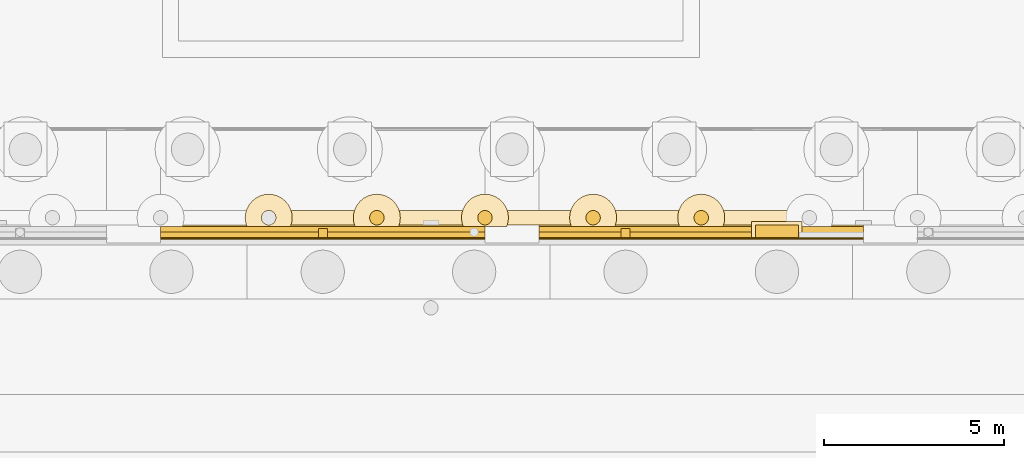
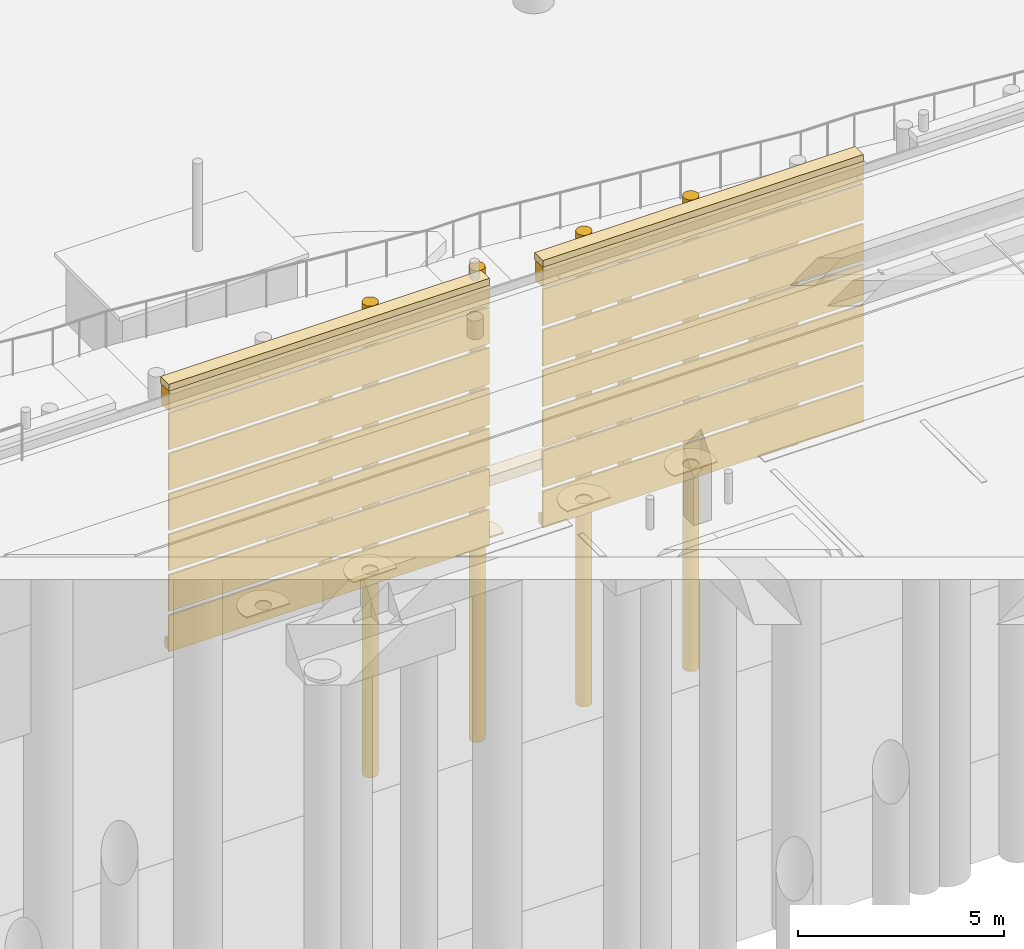
# One storey, part 201 of 222: 36 coverings.
"""IFC4 building model written with IfcOpenShell, lengths in metres."""

from ifc_helpers import new_model, si_unit, direction, frame, origin, origin_2d, place, context, subcontext, project, spatial, polyline, circle, outline, extrude, material, layer, layer_set, type_object, element, save


model = new_model("IFC4")

# Units and contexts
model_context = context("Model", 3, precision=1e-05, world=origin(), true_north=direction((0.0, 1.0)))
body_context = subcontext(model_context, "Body", "Model", "MODEL_VIEW")
ifc_project = project(units=[si_unit("LENGTHUNIT", "METRE"), si_unit("AREAUNIT", "SQUARE_METRE"), si_unit("VOLUMEUNIT", "CUBIC_METRE"), si_unit("PLANEANGLEUNIT", "RADIAN"), si_unit("MASSUNIT", "GRAM", prefix="KILO")], contexts=[model_context])

# Site, building, storey
site_placement = place(None, origin())
site = spatial("IfcSite", under=ifc_project, at=site_placement, CompositionType="ELEMENT")
building_placement = place(site_placement, origin())
building = spatial("IfcBuilding", under=site, at=building_placement, Name="Sava Quay Ferry Terminal", CompositionType="ELEMENT")
storey_placement = place(building_placement, origin())
storey = spatial("IfcBuildingStorey", under=building, at=storey_placement, Name="L00", CompositionType="ELEMENT", Elevation=0.0)

# Coverings
ifc_material_1 = material(Name="Greenheart timber", Category="wood")
ifc_layer_1 = layer(ifc_material_1, 0.25)
ifc_layer_set_1 = layer_set([ifc_layer_1], Name="Greenheart timber")
covering_type_1 = type_object("IfcCoveringType", Name="Fender post 250", PredefinedType="CLADDING", material=ifc_layer_set_1)
covering_1_placement = place(storey_placement, frame((0.0, 0.0, -7.60009765625)))
element("IfcCovering", 1, at=covering_1_placement, inside=storey, type_object=covering_type_1, Name="Fender post", PredefinedType="CLADDING", context=body_context, shape_type="SweptSolid", body=[
    extrude(outline(polyline([(147.125, 118.550048828125), (147.125, 118.800048828125), (146.875, 118.800048828125), (146.875, 118.550048828125), (147.125, 118.550048828125)])), origin(), (0.0, 0.0, 1.0), 6.650146484375),
])
covering_2_placement = place(storey_placement, frame((0.0, 0.0, -7.60009765625)))
element("IfcCovering", 2, at=covering_2_placement, inside=storey, type_object=covering_type_1, Name="Fender post", PredefinedType="CLADDING", context=body_context, shape_type="SweptSolid", body=[
    extrude(outline(polyline([(155.52490234375, 118.550048828125), (155.52490234375, 118.800048828125), (155.27490234375, 118.800048828125), (155.27490234375, 118.550048828125), (155.52490234375, 118.550048828125)])), origin(), (0.0, 0.0, 1.0), 6.650146484375),
])
ifc_material_2 = material(Name="Greenheart timber", Category="wood")
ifc_layer_2 = layer(ifc_material_2, 0.14990234375)
ifc_layer_set_2 = layer_set([ifc_layer_2], Name="Greenheart timber")
covering_type_2 = type_object("IfcCoveringType", Name="Fender rubbing strip 150", PredefinedType="CLADDING", material=ifc_layer_set_2)
covering_3_placement = place(storey_placement, frame((0.0, 0.0, -7.89990234375)))
element("IfcCovering", 3, at=covering_3_placement, inside=storey, type_object=covering_type_2, Name="Fender rubbing strip", PredefinedType="CLADDING", context=body_context, shape_type="SweptSolid", body=[
    extrude(outline(polyline([(153.0, 118.550048828125), (158.989990234375, 118.550048828125), (158.989990234375, 118.699951171875), (153.0, 118.699951171875), (153.0, 118.550048828125)])), origin(), (0.0, 0.0, 1.0), 0.2998046875),
])
covering_4_placement = place(storey_placement, frame((0.0, 0.0, -7.89990234375)))
element("IfcCovering", 4, at=covering_4_placement, inside=storey, type_object=covering_type_2, Name="Fender rubbing strip", PredefinedType="CLADDING", context=body_context, shape_type="SweptSolid", body=[
    extrude(outline(polyline([(151.5, 118.550048828125), (151.5, 118.699951171875), (142.5, 118.699951171875), (142.5, 118.550048828125), (151.5, 118.550048828125)])), origin(), (0.0, 0.0, 1.0), 0.2998046875),
])
ifc_material_3 = material(Name="Timber", Category="wood")
ifc_layer_3 = layer(ifc_material_3, 0.39990234375)
ifc_layer_set_3 = layer_set([ifc_layer_3], Name="Timber")
covering_type_3 = type_object("IfcCoveringType", Name="Quay fender pile 400", PredefinedType="CLADDING", material=ifc_layer_set_3)
for number, where, z_axis, x_axis, name in (
    (5, (148.5, 119.10009765625, 0.0), (0.0, 0.0, -1.0), (1.0, 0.0, 0.0), "Quay fender pile"),
    (6, (151.5, 119.10009765625, 0.0), (0.0, 0.0, -1.0), (1.0, 0.0, 0.0), "Quay fender pile"),
    (7, (154.5, 119.10009765625, 0.0), (0.0, 0.0, -1.0), (1.0, 0.0, 0.0), "Quay fender pile"),
    (8, (157.5, 119.10009765625, 0.0), (0.0, 0.0, -1.0), (1.0, 0.0, 0.0), "Quay fender pile"),
):
    element("IfcCovering", number, at=place(storey_placement, frame(where, z_axis=z_axis, x_axis=x_axis)), inside=storey, type_object=covering_type_3, Name=name, PredefinedType="CLADDING", context=body_context, shape_type="SweptSolid", body=[
        extrude(circle(Radius=0.199951171875, at=origin_2d()), origin(), (0.0, 0.0, 1.0), 14.0),
    ])
ifc_material_4 = material(Name="Timber", Category="wood")
ifc_layer_4 = layer(ifc_material_4, 0.39990234375)
ifc_layer_set_4 = layer_set([ifc_layer_4], Name="Timber")
covering_type_4 = type_object("IfcCoveringType", Name="Quay fender waling", PredefinedType="MOLDING", material=ifc_layer_set_4)
covering_5_placement = place(storey_placement, frame((0.0, 0.0, -6.5)))
element("IfcCovering", 9, at=covering_5_placement, inside=storey, type_object=covering_type_4, Name="Quay fender waling", PredefinedType="MOLDING", context=body_context, shape_type="SweptSolid", body=[
    extrude(outline(polyline([(148.300048828125, 118.89990234375), (148.300048828125, 119.300048828125), (145.699951171875, 119.300048828125), (145.699951171875, 118.89990234375), (148.300048828125, 118.89990234375)])), origin(), (0.0, 0.0, 1.0), 0.300048828125),
])
covering_6_placement = place(storey_placement, frame((0.0, 0.0, -6.5)))
element("IfcCovering", 10, at=covering_6_placement, inside=storey, type_object=covering_type_4, Name="Quay fender waling", PredefinedType="MOLDING", context=body_context, shape_type="SweptSolid", body=[
    extrude(outline(polyline([(151.300048828125, 118.89990234375), (151.300048828125, 119.300048828125), (148.699951171875, 119.300048828125), (148.699951171875, 118.89990234375), (151.300048828125, 118.89990234375)])), origin(), (0.0, 0.0, 1.0), 0.300048828125),
])
covering_7_placement = place(storey_placement, frame((0.0, 0.0, -6.5)))
element("IfcCovering", 11, at=covering_7_placement, inside=storey, type_object=covering_type_4, Name="Quay fender waling", PredefinedType="MOLDING", context=body_context, shape_type="SweptSolid", body=[
    extrude(outline(polyline([(154.300048828125, 118.89990234375), (154.300048828125, 119.300048828125), (151.699951171875, 119.300048828125), (151.699951171875, 118.89990234375), (154.300048828125, 118.89990234375)])), origin(), (0.0, 0.0, 1.0), 0.300048828125),
])
covering_8_placement = place(storey_placement, frame((0.0, 0.0, -6.5)))
element("IfcCovering", 12, at=covering_8_placement, inside=storey, type_object=covering_type_4, Name="Quay fender waling", PredefinedType="MOLDING", context=body_context, shape_type="SweptSolid", body=[
    extrude(outline(polyline([(157.300048828125, 118.89990234375), (157.300048828125, 119.300048828125), (154.699951171875, 119.300048828125), (154.699951171875, 118.89990234375), (157.300048828125, 118.89990234375)])), origin(), (0.0, 0.0, 1.0), 0.300048828125),
])
covering_9_placement = place(storey_placement, frame((0.0, 0.0, -6.5)))
element("IfcCovering", 13, at=covering_9_placement, inside=storey, type_object=covering_type_4, Name="Quay fender waling", PredefinedType="MOLDING", context=body_context, shape_type="SweptSolid", body=[
    extrude(outline(polyline([(160.300048828125, 118.89990234375), (160.300048828125, 119.300048828125), (157.699951171875, 119.300048828125), (157.699951171875, 118.89990234375), (160.300048828125, 118.89990234375)])), origin(), (0.0, 0.0, 1.0), 0.300048828125),
])
ifc_material_5 = material(Name="Limestone Mutalj", Category="masonry")
ifc_layer_5 = layer(ifc_material_5, 0.449951171875)
ifc_layer_set_5 = layer_set([ifc_layer_5], Name="Limestone Mutalj")
covering_type_5 = type_object("IfcCoveringType", Name="Quay pilaster cap 1400", PredefinedType="MOLDING", material=ifc_layer_set_5)
covering_10_placement = place(storey_placement, frame((0.0, 0.0, -0.949951171875)))
element("IfcCovering", 14, at=covering_10_placement, inside=storey, type_object=covering_type_5, Name="Quay pilaster cap", PredefinedType="MOLDING", context=body_context, shape_type="SweptSolid", body=[
    extrude(outline(polyline([(160.300048828125, 118.550048828125), (160.300048828125, 119.0), (158.89990234375, 119.0), (158.89990234375, 118.550048828125), (160.300048828125, 118.550048828125)])), origin(), (0.0, 0.0, 1.0), 0.14990234375),
])
ifc_material_6 = material(Name="Limestone Mutalj", Category="masonry")
ifc_layer_6 = layer(ifc_material_6, 0.39990234375)
ifc_layer_set_6 = layer_set([ifc_layer_6], Name="Limestone Mutalj")
covering_type_6 = type_object("IfcCoveringType", Name="Quay wall coping 400", PredefinedType="MOLDING", material=ifc_layer_set_6)
covering_11_placement = place(storey_placement, frame((0.0, 0.0, -0.199951171875)))
element("IfcCovering", 15, at=covering_11_placement, inside=storey, type_object=covering_type_6, Name="Quay wall coping", PredefinedType="MOLDING", context=body_context, shape_type="SweptSolid", body=[
    extrude(outline(polyline([(162.0, 118.89990234375), (153.0, 118.89990234375), (153.0, 118.5), (162.0, 118.5), (162.0, 118.89990234375)])), origin(), (0.0, 0.0, 1.0), 0.199951171875),
])
covering_12_placement = place(storey_placement, frame((0.0, 0.0, -0.199951171875)))
element("IfcCovering", 16, at=covering_12_placement, inside=storey, type_object=covering_type_6, Name="Quay wall coping", PredefinedType="MOLDING", context=body_context, shape_type="SweptSolid", body=[
    extrude(outline(polyline([(151.5, 118.89990234375), (142.5, 118.89990234375), (142.5, 118.5), (151.5, 118.5), (151.5, 118.89990234375)])), origin(), (0.0, 0.0, 1.0), 0.199951171875),
])
ifc_material_7 = material(Name="Limestone Mutalj", Category="masonry")
ifc_layer_7 = layer(ifc_material_7, 0.35009765625)
ifc_layer_set_7 = layer_set([ifc_layer_7], Name="Limestone Mutalj")
covering_type_7 = type_object("IfcCoveringType", Name="Quay wall cornice 350", PredefinedType="MOLDING", material=ifc_layer_set_7)
covering_13_placement = place(storey_placement, frame((0.0, 0.0, -0.800048828125)))
element("IfcCovering", 17, at=covering_13_placement, inside=storey, type_object=covering_type_7, Name="Quay wall cornice", PredefinedType="MOLDING", context=body_context, shape_type="SweptSolid", body=[
    extrude(outline(polyline([(162.0, 118.85009765625), (153.0, 118.85009765625), (153.0, 118.5), (162.0, 118.5), (162.0, 118.85009765625)])), origin(), (0.0, 0.0, 1.0), 0.60009765625),
])
covering_14_placement = place(storey_placement, frame((0.0, 0.0, -0.800048828125)))
element("IfcCovering", 18, at=covering_14_placement, inside=storey, type_object=covering_type_7, Name="Quay wall cornice", PredefinedType="MOLDING", context=body_context, shape_type="SweptSolid", body=[
    extrude(outline(polyline([(151.5, 118.85009765625), (142.5, 118.85009765625), (142.5, 118.5), (151.5, 118.5), (151.5, 118.85009765625)])), origin(), (0.0, 0.0, 1.0), 0.60009765625),
])
ifc_material_8 = material(Name="Limestone Mutalj", Category="masonry")
ifc_layer_8 = layer(ifc_material_8, 0.35009765625)
ifc_layer_set_8 = layer_set([ifc_layer_8], Name="Limestone Mutalj")
covering_type_8 = type_object("IfcCoveringType", Name="Quay wall pilaster 1200", PredefinedType="CLADDING", material=ifc_layer_set_8)
covering_15_placement = place(storey_placement, frame((0.0, 0.0, -8.0)))
element("IfcCovering", 19, at=covering_15_placement, inside=storey, type_object=covering_type_8, Name="Quay wall pilaster", PredefinedType="CLADDING", context=body_context, shape_type="SweptSolid", body=[
    extrude(outline(polyline([(160.199951171875, 118.550048828125), (160.199951171875, 118.89990234375), (159.0, 118.89990234375), (159.0, 118.550048828125), (160.199951171875, 118.550048828125)])), origin(), (0.0, 0.0, 1.0), 7.050048828125),
])
ifc_material_9 = material(Name="Water")
ifc_layer_9 = layer(ifc_material_9, 0.0400390625)
ifc_layer_set_9 = layer_set([ifc_layer_9], Name="Water")
covering_type_9 = type_object("IfcCoveringType", Name="River foam collar", PredefinedType="CLADDING", material=ifc_layer_set_9)
covering_16_placement = place(storey_placement, frame((0.0, 0.0, -8.0)))
element("IfcCovering", 20, at=covering_16_placement, inside=storey, type_object=covering_type_9, Name="River foam collar", PredefinedType="CLADDING", context=body_context, shape_type="SweptSolid", body=[
    extrude(outline(polyline([(146.139892578125, 119.22705078125), (146.10302734375, 119.35009765625), (146.0419921875, 119.4619140625), (145.9609375, 119.56103515625), (145.862060546875, 119.64208984375), (145.75, 119.702880859375), (145.626953125, 119.739990234375), (145.5, 119.751953125), (145.373046875, 119.739990234375), (145.25, 119.702880859375), (145.137939453125, 119.64208984375), (145.0390625, 119.56103515625), (144.9580078125, 119.4619140625), (144.89697265625, 119.35009765625), (144.860107421875, 119.22705078125), (144.847900390625, 119.10009765625), (144.860107421875, 118.972900390625), (144.89794921875, 118.85009765625), (146.10205078125, 118.85009765625), (146.139892578125, 118.972900390625), (146.152099609375, 119.10009765625), (146.139892578125, 119.22705078125)]), holes=[polyline([(145.4609375, 119.2958984375), (145.5, 119.300048828125), (145.5390625, 119.2958984375), (145.576904296875, 119.284912109375), (145.611083984375, 119.26611328125), (145.64111328125, 119.240966796875), (145.666015625, 119.2109375), (145.68505859375, 119.177001953125), (145.696044921875, 119.138916015625), (145.699951171875, 119.10009765625), (145.696044921875, 119.06103515625), (145.68505859375, 119.02294921875), (145.666015625, 118.989013671875), (145.64111328125, 118.958984375), (145.611083984375, 118.93408203125), (145.576904296875, 118.9150390625), (145.5390625, 118.904052734375), (145.5, 118.89990234375), (145.4609375, 118.904052734375), (145.423095703125, 118.9150390625), (145.388916015625, 118.93408203125), (145.35888671875, 118.958984375), (145.333984375, 118.989013671875), (145.31494140625, 119.02294921875), (145.303955078125, 119.06103515625), (145.300048828125, 119.10009765625), (145.303955078125, 119.138916015625), (145.31494140625, 119.177001953125), (145.333984375, 119.2109375), (145.35888671875, 119.240966796875), (145.388916015625, 119.26611328125), (145.423095703125, 119.284912109375), (145.4609375, 119.2958984375)])]), origin(), (0.0, 0.0, 1.0), 0.0400390625),
])
covering_17_placement = place(storey_placement, frame((0.0, 0.0, -8.0)))
element("IfcCovering", 21, at=covering_17_placement, inside=storey, type_object=covering_type_9, Name="River foam collar", PredefinedType="CLADDING", context=body_context, shape_type="SweptSolid", body=[
    extrude(outline(polyline([(149.152099609375, 119.10009765625), (149.139892578125, 119.22705078125), (149.10302734375, 119.35009765625), (149.0419921875, 119.4619140625), (148.9609375, 119.56103515625), (148.862060546875, 119.64208984375), (148.75, 119.702880859375), (148.626953125, 119.739990234375), (148.5, 119.751953125), (148.373046875, 119.739990234375), (148.25, 119.702880859375), (148.137939453125, 119.64208984375), (148.0390625, 119.56103515625), (147.9580078125, 119.4619140625), (147.89697265625, 119.35009765625), (147.860107421875, 119.22705078125), (147.847900390625, 119.10009765625), (147.860107421875, 118.972900390625), (147.89794921875, 118.85009765625), (149.10205078125, 118.85009765625), (149.139892578125, 118.972900390625), (149.152099609375, 119.10009765625)]), holes=[polyline([(148.423095703125, 119.284912109375), (148.4609375, 119.2958984375), (148.5, 119.300048828125), (148.5390625, 119.2958984375), (148.576904296875, 119.284912109375), (148.611083984375, 119.26611328125), (148.64111328125, 119.240966796875), (148.666015625, 119.2109375), (148.68505859375, 119.177001953125), (148.696044921875, 119.138916015625), (148.699951171875, 119.10009765625), (148.696044921875, 119.06103515625), (148.68505859375, 119.02294921875), (148.666015625, 118.989013671875), (148.64111328125, 118.958984375), (148.611083984375, 118.93408203125), (148.576904296875, 118.9150390625), (148.5390625, 118.904052734375), (148.5, 118.89990234375), (148.4609375, 118.904052734375), (148.423095703125, 118.9150390625), (148.388916015625, 118.93408203125), (148.35888671875, 118.958984375), (148.333984375, 118.989013671875), (148.31494140625, 119.02294921875), (148.303955078125, 119.06103515625), (148.300048828125, 119.10009765625), (148.303955078125, 119.138916015625), (148.31494140625, 119.177001953125), (148.333984375, 119.2109375), (148.35888671875, 119.240966796875), (148.388916015625, 119.26611328125), (148.423095703125, 119.284912109375)])]), origin(), (0.0, 0.0, 1.0), 0.0400390625),
])
covering_18_placement = place(storey_placement, frame((0.0, 0.0, -8.0)))
element("IfcCovering", 22, at=covering_18_placement, inside=storey, type_object=covering_type_9, Name="River foam collar", PredefinedType="CLADDING", context=body_context, shape_type="SweptSolid", body=[
    extrude(outline(polyline([(152.139892578125, 118.972900390625), (152.152099609375, 119.10009765625), (152.139892578125, 119.22705078125), (152.10302734375, 119.35009765625), (152.0419921875, 119.4619140625), (151.9609375, 119.56103515625), (151.862060546875, 119.64208984375), (151.75, 119.702880859375), (151.626953125, 119.739990234375), (151.5, 119.751953125), (151.373046875, 119.739990234375), (151.25, 119.702880859375), (151.137939453125, 119.64208984375), (151.0390625, 119.56103515625), (150.9580078125, 119.4619140625), (150.89697265625, 119.35009765625), (150.860107421875, 119.22705078125), (150.847900390625, 119.10009765625), (150.860107421875, 118.972900390625), (150.89794921875, 118.85009765625), (152.10205078125, 118.85009765625), (152.139892578125, 118.972900390625)]), holes=[polyline([(151.388916015625, 119.26611328125), (151.423095703125, 119.284912109375), (151.4609375, 119.2958984375), (151.5, 119.300048828125), (151.5390625, 119.2958984375), (151.576904296875, 119.284912109375), (151.611083984375, 119.26611328125), (151.64111328125, 119.240966796875), (151.666015625, 119.2109375), (151.68505859375, 119.177001953125), (151.696044921875, 119.138916015625), (151.699951171875, 119.10009765625), (151.696044921875, 119.06103515625), (151.68505859375, 119.02294921875), (151.666015625, 118.989013671875), (151.64111328125, 118.958984375), (151.611083984375, 118.93408203125), (151.576904296875, 118.9150390625), (151.5390625, 118.904052734375), (151.5, 118.89990234375), (151.4609375, 118.904052734375), (151.423095703125, 118.9150390625), (151.388916015625, 118.93408203125), (151.35888671875, 118.958984375), (151.333984375, 118.989013671875), (151.31494140625, 119.02294921875), (151.303955078125, 119.06103515625), (151.300048828125, 119.10009765625), (151.303955078125, 119.138916015625), (151.31494140625, 119.177001953125), (151.333984375, 119.2109375), (151.35888671875, 119.240966796875), (151.388916015625, 119.26611328125)])]), origin(), (0.0, 0.0, 1.0), 0.0400390625),
])
covering_19_placement = place(storey_placement, frame((0.0, 0.0, -8.0)))
element("IfcCovering", 23, at=covering_19_placement, inside=storey, type_object=covering_type_9, Name="River foam collar", PredefinedType="CLADDING", context=body_context, shape_type="SweptSolid", body=[
    extrude(outline(polyline([(155.10302734375, 118.85009765625), (155.139892578125, 118.972900390625), (155.152099609375, 119.10009765625), (155.139892578125, 119.22705078125), (155.10302734375, 119.35009765625), (155.0419921875, 119.4619140625), (154.9609375, 119.56103515625), (154.862060546875, 119.64208984375), (154.75, 119.702880859375), (154.626953125, 119.739990234375), (154.5, 119.751953125), (154.373046875, 119.739990234375), (154.25, 119.702880859375), (154.137939453125, 119.64208984375), (154.0390625, 119.56103515625), (153.9580078125, 119.4619140625), (153.89697265625, 119.35009765625), (153.860107421875, 119.22705078125), (153.847900390625, 119.10009765625), (153.860107421875, 118.972900390625), (153.89794921875, 118.85009765625), (155.10302734375, 118.85009765625)]), holes=[polyline([(154.35888671875, 119.240966796875), (154.388916015625, 119.26611328125), (154.423095703125, 119.284912109375), (154.4609375, 119.2958984375), (154.5, 119.300048828125), (154.5390625, 119.2958984375), (154.576904296875, 119.284912109375), (154.611083984375, 119.26611328125), (154.64111328125, 119.240966796875), (154.666015625, 119.2109375), (154.68505859375, 119.177001953125), (154.696044921875, 119.138916015625), (154.699951171875, 119.10009765625), (154.696044921875, 119.06103515625), (154.68505859375, 119.02294921875), (154.666015625, 118.989013671875), (154.64111328125, 118.958984375), (154.611083984375, 118.93408203125), (154.576904296875, 118.9150390625), (154.5390625, 118.904052734375), (154.5, 118.89990234375), (154.4609375, 118.904052734375), (154.423095703125, 118.9150390625), (154.388916015625, 118.93408203125), (154.35888671875, 118.958984375), (154.333984375, 118.989013671875), (154.31494140625, 119.02294921875), (154.303955078125, 119.06103515625), (154.300048828125, 119.10009765625), (154.303955078125, 119.138916015625), (154.31494140625, 119.177001953125), (154.333984375, 119.2109375), (154.35888671875, 119.240966796875)])]), origin(), (0.0, 0.0, 1.0), 0.0400390625),
])
covering_20_placement = place(storey_placement, frame((0.0, 0.0, -8.0)))
element("IfcCovering", 24, at=covering_20_placement, inside=storey, type_object=covering_type_9, Name="River foam collar", PredefinedType="CLADDING", context=body_context, shape_type="SweptSolid", body=[
    extrude(outline(polyline([(158.10205078125, 118.85009765625), (158.139892578125, 118.972900390625), (158.152099609375, 119.10009765625), (158.139892578125, 119.22705078125), (158.10302734375, 119.35009765625), (158.0419921875, 119.4619140625), (157.9609375, 119.56103515625), (157.862060546875, 119.64208984375), (157.75, 119.702880859375), (157.626953125, 119.739990234375), (157.5, 119.751953125), (157.373046875, 119.739990234375), (157.25, 119.702880859375), (157.137939453125, 119.64208984375), (157.0390625, 119.56103515625), (156.9580078125, 119.4619140625), (156.89697265625, 119.35009765625), (156.860107421875, 119.22705078125), (156.847900390625, 119.10009765625), (156.860107421875, 118.972900390625), (156.89794921875, 118.85009765625), (158.10205078125, 118.85009765625)]), holes=[polyline([(157.333984375, 119.2109375), (157.35888671875, 119.240966796875), (157.388916015625, 119.26611328125), (157.423095703125, 119.284912109375), (157.4609375, 119.2958984375), (157.5, 119.300048828125), (157.5390625, 119.2958984375), (157.576904296875, 119.284912109375), (157.611083984375, 119.26611328125), (157.64111328125, 119.240966796875), (157.666015625, 119.2109375), (157.68505859375, 119.177001953125), (157.696044921875, 119.138916015625), (157.699951171875, 119.10009765625), (157.696044921875, 119.06103515625), (157.68505859375, 119.02294921875), (157.666015625, 118.989013671875), (157.64111328125, 118.958984375), (157.611083984375, 118.93408203125), (157.576904296875, 118.9150390625), (157.5390625, 118.904052734375), (157.5, 118.89990234375), (157.4609375, 118.904052734375), (157.423095703125, 118.9150390625), (157.388916015625, 118.93408203125), (157.35888671875, 118.958984375), (157.333984375, 118.989013671875), (157.31494140625, 119.02294921875), (157.303955078125, 119.06103515625), (157.300048828125, 119.10009765625), (157.303955078125, 119.138916015625), (157.31494140625, 119.177001953125), (157.333984375, 119.2109375)])]), origin(), (0.0, 0.0, 1.0), 0.0400390625),
])
ifc_material_10 = material(Name="Limestone Mutalj", Category="masonry")
ifc_layer_10 = layer(ifc_material_10, 0.050048828125)
ifc_layer_set_10 = layer_set([ifc_layer_10], Name="Limestone Mutalj")
covering_type_10 = type_object("IfcCoveringType", Name="Rustication course 250", PredefinedType="MOLDING", material=ifc_layer_set_10)
covering_21_placement = place(storey_placement, frame((0.0, 0.0, -7.93994140625)))
element("IfcCovering", 25, at=covering_21_placement, inside=storey, type_object=covering_type_10, Name="Rustication course", PredefinedType="MOLDING", context=body_context, shape_type="SweptSolid", body=[
    extrude(outline(polyline([(162.0, 118.550048828125), (153.0, 118.550048828125), (153.0, 118.5), (162.0, 118.5), (162.0, 118.550048828125)])), origin(), (0.0, 0.0, 1.0), 1.079833984375),
])
covering_22_placement = place(storey_placement, frame((0.0, 0.0, -7.93994140625)))
element("IfcCovering", 26, at=covering_22_placement, inside=storey, type_object=covering_type_10, Name="Rustication course", PredefinedType="MOLDING", context=body_context, shape_type="SweptSolid", body=[
    extrude(outline(polyline([(151.5, 118.550048828125), (142.5, 118.550048828125), (142.5, 118.5), (151.5, 118.5), (151.5, 118.550048828125)])), origin(), (0.0, 0.0, 1.0), 1.079833984375),
])
covering_23_placement = place(storey_placement, frame((0.0, 0.0, -6.739990234375)))
element("IfcCovering", 27, at=covering_23_placement, inside=storey, type_object=covering_type_10, Name="Rustication course", PredefinedType="MOLDING", context=body_context, shape_type="SweptSolid", body=[
    extrude(outline(polyline([(162.0, 118.550048828125), (153.0, 118.550048828125), (153.0, 118.5), (162.0, 118.5), (162.0, 118.550048828125)])), origin(), (0.0, 0.0, 1.0), 1.080078125),
])
covering_24_placement = place(storey_placement, frame((0.0, 0.0, -6.739990234375)))
element("IfcCovering", 28, at=covering_24_placement, inside=storey, type_object=covering_type_10, Name="Rustication course", PredefinedType="MOLDING", context=body_context, shape_type="SweptSolid", body=[
    extrude(outline(polyline([(151.5, 118.550048828125), (142.5, 118.550048828125), (142.5, 118.5), (151.5, 118.5), (151.5, 118.550048828125)])), origin(), (0.0, 0.0, 1.0), 1.080078125),
])
covering_25_placement = place(storey_placement, frame((0.0, 0.0, -5.5400390625)))
element("IfcCovering", 29, at=covering_25_placement, inside=storey, type_object=covering_type_10, Name="Rustication course", PredefinedType="MOLDING", context=body_context, shape_type="SweptSolid", body=[
    extrude(outline(polyline([(162.0, 118.550048828125), (153.0, 118.550048828125), (153.0, 118.5), (162.0, 118.5), (162.0, 118.550048828125)])), origin(), (0.0, 0.0, 1.0), 1.080078125),
])
covering_26_placement = place(storey_placement, frame((0.0, 0.0, -5.5400390625)))
element("IfcCovering", 30, at=covering_26_placement, inside=storey, type_object=covering_type_10, Name="Rustication course", PredefinedType="MOLDING", context=body_context, shape_type="SweptSolid", body=[
    extrude(outline(polyline([(151.5, 118.550048828125), (142.5, 118.550048828125), (142.5, 118.5), (151.5, 118.5), (151.5, 118.550048828125)])), origin(), (0.0, 0.0, 1.0), 1.080078125),
])
covering_27_placement = place(storey_placement, frame((0.0, 0.0, -4.340087890625)))
element("IfcCovering", 31, at=covering_27_placement, inside=storey, type_object=covering_type_10, Name="Rustication course", PredefinedType="MOLDING", context=body_context, shape_type="SweptSolid", body=[
    extrude(outline(polyline([(162.0, 118.550048828125), (153.0, 118.550048828125), (153.0, 118.5), (162.0, 118.5), (162.0, 118.550048828125)])), origin(), (0.0, 0.0, 1.0), 1.080078125),
])
covering_28_placement = place(storey_placement, frame((0.0, 0.0, -4.340087890625)))
element("IfcCovering", 32, at=covering_28_placement, inside=storey, type_object=covering_type_10, Name="Rustication course", PredefinedType="MOLDING", context=body_context, shape_type="SweptSolid", body=[
    extrude(outline(polyline([(151.5, 118.550048828125), (142.5, 118.550048828125), (142.5, 118.5), (151.5, 118.5), (151.5, 118.550048828125)])), origin(), (0.0, 0.0, 1.0), 1.080078125),
])
covering_29_placement = place(storey_placement, frame((0.0, 0.0, -3.139892578125)))
element("IfcCovering", 33, at=covering_29_placement, inside=storey, type_object=covering_type_10, Name="Rustication course", PredefinedType="MOLDING", context=body_context, shape_type="SweptSolid", body=[
    extrude(outline(polyline([(162.0, 118.550048828125), (153.0, 118.550048828125), (153.0, 118.5), (162.0, 118.5), (162.0, 118.550048828125)])), origin(), (0.0, 0.0, 1.0), 1.079833984375),
])
covering_30_placement = place(storey_placement, frame((0.0, 0.0, -3.139892578125)))
element("IfcCovering", 34, at=covering_30_placement, inside=storey, type_object=covering_type_10, Name="Rustication course", PredefinedType="MOLDING", context=body_context, shape_type="SweptSolid", body=[
    extrude(outline(polyline([(151.5, 118.550048828125), (142.5, 118.550048828125), (142.5, 118.5), (151.5, 118.5), (151.5, 118.550048828125)])), origin(), (0.0, 0.0, 1.0), 1.079833984375),
])
covering_31_placement = place(storey_placement, frame((0.0, 0.0, -1.93994140625)))
element("IfcCovering", 35, at=covering_31_placement, inside=storey, type_object=covering_type_10, Name="Rustication course", PredefinedType="MOLDING", context=body_context, shape_type="SweptSolid", body=[
    extrude(outline(polyline([(162.0, 118.550048828125), (153.0, 118.550048828125), (153.0, 118.5), (162.0, 118.5), (162.0, 118.550048828125)])), origin(), (0.0, 0.0, 1.0), 1.079833984375),
])
covering_32_placement = place(storey_placement, frame((0.0, 0.0, -1.93994140625)))
element("IfcCovering", 36, at=covering_32_placement, inside=storey, type_object=covering_type_10, Name="Rustication course", PredefinedType="MOLDING", context=body_context, shape_type="SweptSolid", body=[
    extrude(outline(polyline([(151.5, 118.550048828125), (142.5, 118.550048828125), (142.5, 118.5), (151.5, 118.5), (151.5, 118.550048828125)])), origin(), (0.0, 0.0, 1.0), 1.079833984375),
])

save(model, "model.ifc")
